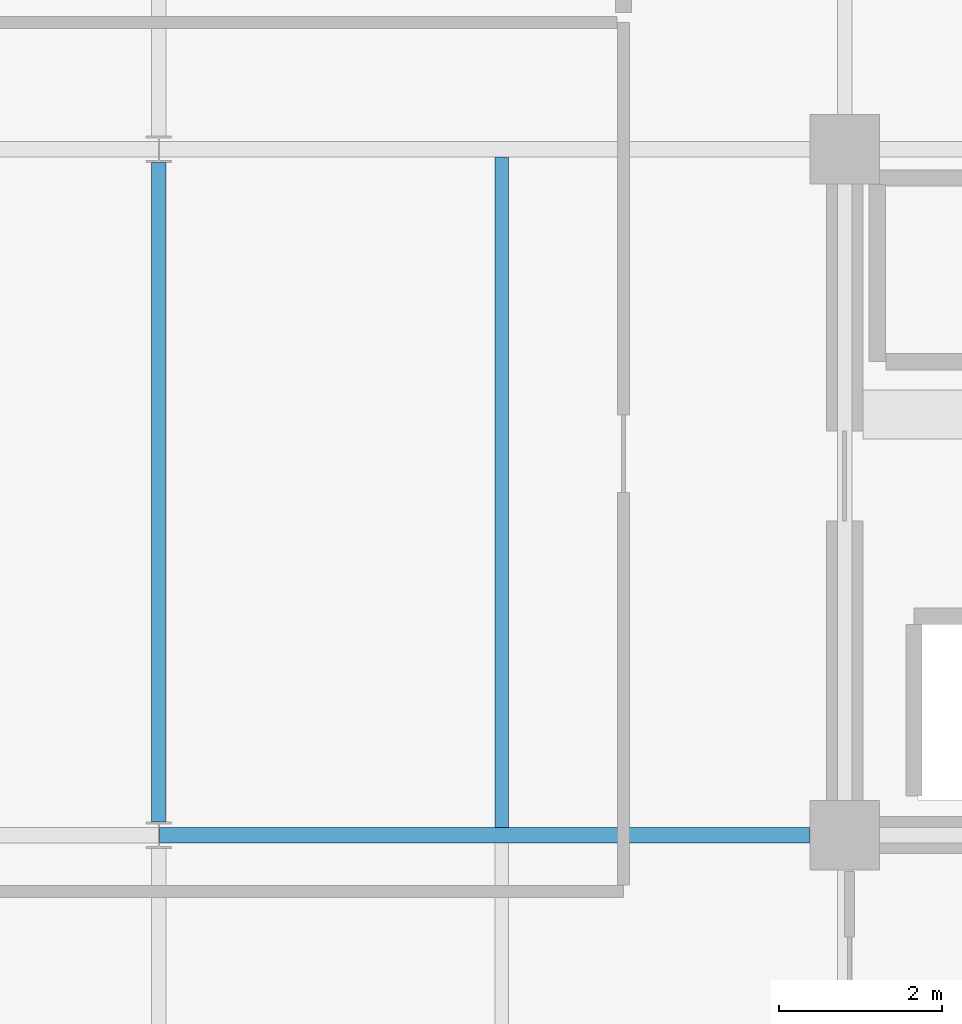
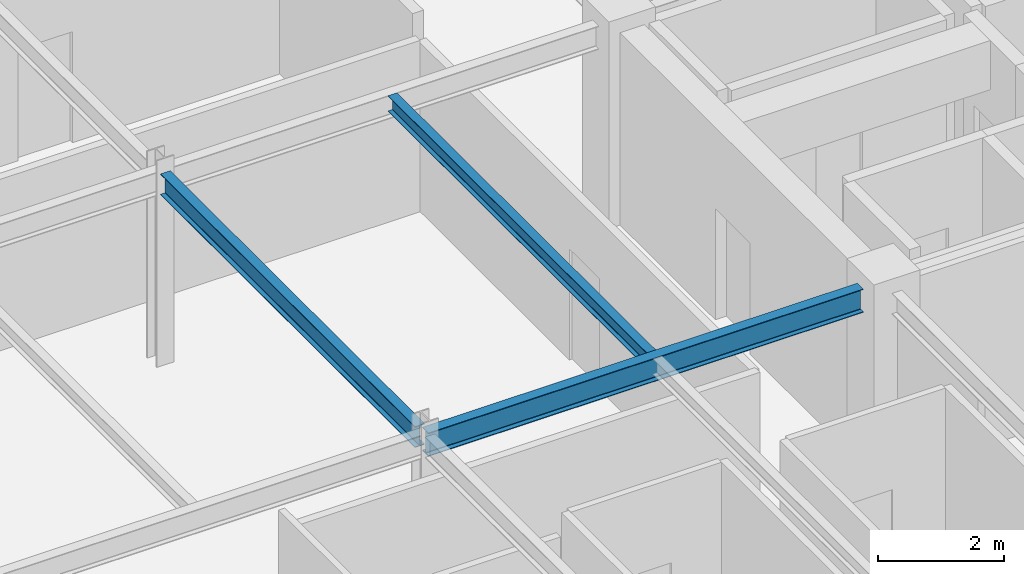
# One storey, part 6 of 27: 3 beams.
"""IFC4 building model written with IfcOpenShell, lengths in metres."""

import ifcopenshell
import ifcopenshell.guid

model = None  # the IFC model being written
_history = None  # IfcOwnerHistory: only IFC2X3 demands one
_inside = {}  # id of a spatial element -> (the spatial element, [elements in it])
_under = {}  # id of a project, library or spatial element -> (it, [spatial elements below it])
_declared = {}  # id of a project -> (the project, [libraries it declares])
_typed = {}  # id of a type object -> (the type object, [elements of that type])
_made_of = {}  # id of a material, layer set ... -> (it, [elements and type objects made of it])


def new_model(schema):
    """Start an empty IFC model of exactly this schema.

    Asked for "IFC4X3", IfcOpenShell would pick the latest addendum, in which some entities
    have other attributes; the version numbers below select the first issue.
    IFC2X3 requires an IfcOwnerHistory on every rooted entity: one is made here for all.
    """
    global model, _history
    if schema == "IFC4X3":
        model = ifcopenshell.file(schema_version=(4, 3, 0, 0))
    else:
        model = ifcopenshell.file(schema=schema)
    _inside.clear()
    _under.clear()
    _declared.clear()
    _typed.clear()
    _made_of.clear()
    _history = None
    if model.schema == "IFC2X3":
        org = make("IfcOrganization", Name="unknown")
        user = make(
            "IfcPersonAndOrganization",
            ThePerson=make("IfcPerson", FamilyName="unknown"),
            TheOrganization=org,
        )
        app = make(
            "IfcApplication",
            ApplicationDeveloper=org,
            Version="unknown",
            ApplicationFullName="unknown",
            ApplicationIdentifier="unknown",
        )
        _history = make(
            "IfcOwnerHistory",
            OwningUser=user,
            OwningApplication=app,
            ChangeAction="ADDED",
            CreationDate=0,
        )
    return model


def make(cls, **values):
    """One entity of the class cls with the attributes given. An attribute that is None is left unset."""
    return model.create_entity(
        cls, **{name: value for name, value in values.items() if value is not None}
    )


def rooted(cls, **values):
    """An entity with a GlobalId (a new one), such as an element, a storey or a relation."""
    return make(cls, GlobalId=ifcopenshell.guid.new(), OwnerHistory=_history, **values)


def si_unit(unit_type, name, prefix=None):
    """IfcSIUnit, for example si_unit("LENGTHUNIT", "METRE", prefix="MILLI")."""
    return make("IfcSIUnit", UnitType=unit_type, Prefix=prefix, Name=name)


def assignment(units):
    """IfcUnitAssignment: the units of a project."""
    return None if units is None else make("IfcUnitAssignment", Units=units)


def point(xyz):
    """IfcCartesianPoint."""
    return None if xyz is None else make("IfcCartesianPoint", Coordinates=xyz)


def direction(xyz):
    """IfcDirection."""
    return None if xyz is None else make("IfcDirection", DirectionRatios=xyz)


def frame(location, z_axis=None, x_axis=None):
    """IfcAxis2Placement3D, a coordinate frame: its origin and axes. An axis left out is left unset."""
    return make(
        "IfcAxis2Placement3D",
        Location=point(location),
        Axis=direction(z_axis),
        RefDirection=direction(x_axis),
    )


def frame_2d(location, x_axis=None):
    """IfcAxis2Placement2D, a coordinate frame in the plane: its origin and x axis."""
    return make(
        "IfcAxis2Placement2D", Location=point(location), RefDirection=direction(x_axis)
    )


def origin():
    """The frame at (0, 0, 0) with its axes left unset."""
    return frame((0.0, 0.0, 0.0))


def origin_2d():
    """The frame at (0, 0) in the plane with its x axis left unset."""
    return frame_2d((0.0, 0.0))


def place(relative_to, where):
    """IfcLocalPlacement: puts the frame where relative to a parent placement (None: the world)."""
    return make(
        "IfcLocalPlacement", PlacementRelTo=relative_to, RelativePlacement=where
    )


def context(
    kind, dimensions, precision=None, world=None, true_north=None, identifier=None
):
    """IfcGeometricRepresentationContext, for example the 3D "Model" context."""
    return make(
        "IfcGeometricRepresentationContext",
        ContextIdentifier=identifier,
        ContextType=kind,
        CoordinateSpaceDimension=dimensions,
        Precision=precision,
        WorldCoordinateSystem=world,
        TrueNorth=true_north,
    )


def subcontext(parent, identifier, kind, view, scale=None):
    """IfcGeometricRepresentationSubContext, for example "Body" below "Model"."""
    return make(
        "IfcGeometricRepresentationSubContext",
        ContextIdentifier=identifier,
        ContextType=kind,
        ParentContext=parent,
        TargetScale=scale,
        TargetView=view,
    )


def project(units=None, contexts=None):
    """IfcProject with its units and contexts."""
    return rooted(
        "IfcProject",
        Name="project",
        RepresentationContexts=contexts,
        UnitsInContext=assignment(units),
    )


def spatial(cls, under=None, at=None, **own):
    """A site, building, storey or space (cls), placed at a placement, below another one or the project."""
    s = rooted(cls, ObjectPlacement=at, **own)
    if under is not None:
        _under.setdefault(under.id(), (under, []))[1].append(s)
    return s


def profile(cls, at=None, kind="AREA", **sizes):
    """A parametric profile (cls). Its sizes go by their IFC names, for example OverallWidth=200.0."""
    return make(cls, ProfileType=kind, Position=at, **sizes)


def i_section(**sizes):
    """IfcIShapeProfileDef."""
    return profile("IfcIShapeProfileDef", **sizes)


def extrude(swept, where, along, depth):
    """IfcExtrudedAreaSolid: the profile swept, set in the frame where, extruded along a direction by depth."""
    return make(
        "IfcExtrudedAreaSolid",
        SweptArea=swept,
        Position=where,
        ExtrudedDirection=direction(along),
        Depth=depth,
    )


def shape(context_of_items, identifier, shape_type, items):
    """IfcShapeRepresentation: the items that make up one representation, for example the "Body"."""
    return make(
        "IfcShapeRepresentation",
        ContextOfItems=context_of_items,
        RepresentationIdentifier=identifier,
        RepresentationType=shape_type,
        Items=items,
    )


def material(Name=None, Category=None):
    """IfcMaterial."""
    return make("IfcMaterial", Name=Name, Category=Category)


def material_profile(
    of_material, cross_section, Name=None, Category=None, Priority=None
):
    """IfcMaterialProfile: a cross section and its material."""
    return make(
        "IfcMaterialProfile",
        Name=Name,
        Material=of_material,
        Profile=cross_section,
        Priority=Priority,
        Category=Category,
    )


def profile_set(profiles, Name=None, composite=None):
    """IfcMaterialProfileSet."""
    return make(
        "IfcMaterialProfileSet",
        Name=Name,
        MaterialProfiles=profiles,
        CompositeProfile=composite,
    )


def made_of(thing, what):
    """Note that an element or type object is made of a material, layer set ...; save() writes the relation."""
    if what is not None:
        _made_of.setdefault(what.id(), (what, []))[1].append(thing)
    return thing


def type_object(cls, material=None, **own):
    """A type object (cls), such as IfcWallType, which elements share."""
    return made_of(rooted(cls, **own), material)


def element(
    cls,
    number,
    at=None,
    inside=None,
    cuts=None,
    type_object=None,
    material=None,
    context=None,
    identifier="Body",
    shape_type=None,
    held_by="IfcProductDefinitionShape",
    body=None,
    shapes=None,
    **own,
):
    """One element of the class cls, such as IfcWall. Its Tag is "e" and its number.

    at: its placement. inside: the storey or other place that contains it. cuts: it is an
    opening in that element (IfcRelVoidsElement). A single representation is given by context,
    identifier, shape_type and body (its items); several are given by shapes. held_by: the class
    of the entity that holds the representations. save() writes the other relations.
    """
    e = rooted(cls, Tag="e%d" % number, ObjectPlacement=at, **own)
    if body is not None:
        shapes = [shape(context, identifier, shape_type, body)]
    if shapes is not None:
        e.Representation = make(held_by, Representations=shapes)
    if inside is not None:
        _inside.setdefault(inside.id(), (inside, []))[1].append(e)
    if cuts is not None:
        rooted(
            "IfcRelVoidsElement", RelatingBuildingElement=cuts, RelatedOpeningElement=e
        )
    if type_object is not None:
        _typed.setdefault(type_object.id(), (type_object, []))[1].append(e)
    return made_of(e, material)


def aggregate(whole, parts):
    """IfcRelAggregates: a whole, such as a stair, and the parts it consists of."""
    return rooted("IfcRelAggregates", RelatingObject=whole, RelatedObjects=parts)


def save(model, path):
    """Write the relations noted so far, then the file.

    IfcRelAggregates (storeys below a building ...), IfcRelContainedInSpatialStructure (elements
    in a storey), IfcRelDefinesByType, IfcRelAssociatesMaterial and IfcRelDeclares: one each for
    every whole, place, type object, material and project.
    """
    for whole, parts in _under.values():
        aggregate(whole, parts)
    for where, things in _inside.values():
        rooted(
            "IfcRelContainedInSpatialStructure",
            RelatedElements=things,
            RelatingStructure=where,
        )
    for kind, things in _typed.values():
        rooted("IfcRelDefinesByType", RelatedObjects=things, RelatingType=kind)
    for what, things in _made_of.values():
        rooted("IfcRelAssociatesMaterial", RelatedObjects=things, RelatingMaterial=what)
    for by, libraries in _declared.values():
        rooted("IfcRelDeclares", RelatingContext=by, RelatedDefinitions=libraries)
    model.write(path)


model = new_model("IFC4")

# Units and contexts
model_context = context("Model", 3, precision=1e-05, world=origin(), true_north=direction((0.0, 1.0)))
body_context = subcontext(model_context, "Body", "Model", "MODEL_VIEW")
ifc_project = project(units=[si_unit("LENGTHUNIT", "METRE"), si_unit("AREAUNIT", "SQUARE_METRE"), si_unit("VOLUMEUNIT", "CUBIC_METRE"), si_unit("PLANEANGLEUNIT", "RADIAN"), si_unit("MASSUNIT", "GRAM", prefix="KILO")], contexts=[model_context])

# Site, building, storey
site_placement = place(None, origin())
site = spatial("IfcSite", under=ifc_project, at=site_placement, CompositionType="ELEMENT")
building_placement = place(site_placement, origin())
building = spatial("IfcBuilding", under=site, at=building_placement, Name="Nerrivon Quay Data Exchange", CompositionType="ELEMENT")
storey_placement = place(building_placement, frame((0.0, 0.0, 254.199951171875)))
storey = spatial("IfcBuildingStorey", under=building, at=storey_placement, Name="L60", CompositionType="ELEMENT", Elevation=254.199951171875)

# Beams
ifc_material = material(Name="Steel Grade 350", Category="steel")
ifc_material_profile_1 = material_profile(ifc_material, i_section(OverallWidth=0.18994140625, OverallDepth=0.4541015625, WebThickness=0.008544921875, FlangeThickness=0.0126953125, FilletRadius=0.011474609375, at=origin_2d()), Name="460UB67.1")
ifc_profile_set_1 = profile_set([ifc_material_profile_1], Name="Steel Grade 350")
beam_type_1 = type_object("IfcBeamType", Name="BM-G6-460UB67", PredefinedType="BEAM", material=ifc_profile_set_1)
beam_1_placement = place(storey_placement, frame((8.40771484375, 8.39990234375, 3.498046875), z_axis=(1.0, 0.0, 0.0), x_axis=(0.0, 1.0, 0.0)))
element("IfcBeam", 1, at=beam_1_placement, inside=storey, type_object=beam_type_1, Name="L60 EW Girder Y=8.4 (8.4..16.8)", PredefinedType="BEAM", context=body_context, shape_type="SweptSolid", body=[
    extrude(i_section(OverallWidth=0.18994140625, OverallDepth=0.4541015625, WebThickness=0.008544921875, FlangeThickness=0.0126953125, FilletRadius=0.011474609375, at=origin_2d()), origin(), (0.0, 0.0, 1.0), 7.96728515625),
])
ifc_material_profile_2 = material_profile(ifc_material, i_section(OverallWidth=0.177978515625, OverallDepth=0.406005859375, WebThickness=0.0078125, FlangeThickness=0.0126953125, FilletRadius=0.011474609375, at=origin_2d()), Name="410UB59.7")
ifc_profile_set_2 = profile_set([ifc_material_profile_2], Name="Steel Grade 350")
beam_type_2 = type_object("IfcBeamType", Name="BM-J1-410UB60", PredefinedType="JOIST", material=ifc_profile_set_2)
beam_2_placement = place(storey_placement, frame((8.39990234375, 8.5634765625, 3.52197265625), z_axis=(0.0, 1.0, 0.0), x_axis=(-1.0, 0.0, 0.0)))
element("IfcBeam", 2, at=beam_2_placement, inside=storey, type_object=beam_type_2, Name="L60 NS Girder X=8.4 (8.4..16.8)", PredefinedType="JOIST", context=body_context, shape_type="SweptSolid", body=[
    extrude(i_section(OverallWidth=0.177978515625, OverallDepth=0.406005859375, WebThickness=0.0078125, FlangeThickness=0.0126953125, FilletRadius=0.011474609375, at=origin_2d()), origin(), (0.0, 0.0, 1.0), 8.072998046875),
])
ifc_material_profile_3 = material_profile(ifc_material, i_section(OverallWidth=0.1650390625, OverallDepth=0.303955078125, WebThickness=0.006103515625, FlangeThickness=0.01025390625, FilletRadius=0.011474609375, at=origin_2d()), Name="310UB40.4")
ifc_profile_set_3 = profile_set([ifc_material_profile_3], Name="Steel Grade 350")
beam_type_3 = type_object("IfcBeamType", Name="BM-J6-310UB40", PredefinedType="JOIST", material=ifc_profile_set_3)
beam_3_placement = place(storey_placement, frame((12.60009765625, 8.4951171875, 3.572998046875), z_axis=(0.0, 1.0, 0.0), x_axis=(-1.0, 0.0, 0.0)))
element("IfcBeam", 3, at=beam_3_placement, inside=storey, type_object=beam_type_3, Name="L60 Secondary Joist X=12.6 (8.4..16.8)", PredefinedType="JOIST", context=body_context, shape_type="SweptSolid", body=[
    extrude(i_section(OverallWidth=0.1650390625, OverallDepth=0.303955078125, WebThickness=0.006103515625, FlangeThickness=0.01025390625, FilletRadius=0.011474609375, at=origin_2d()), origin(), (0.0, 0.0, 1.0), 8.2099609375),
])

save(model, "model.ifc")
